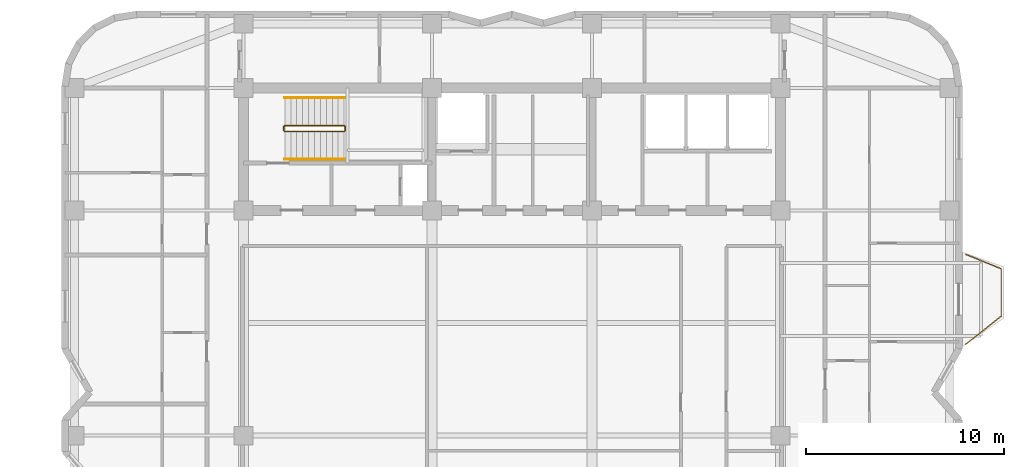
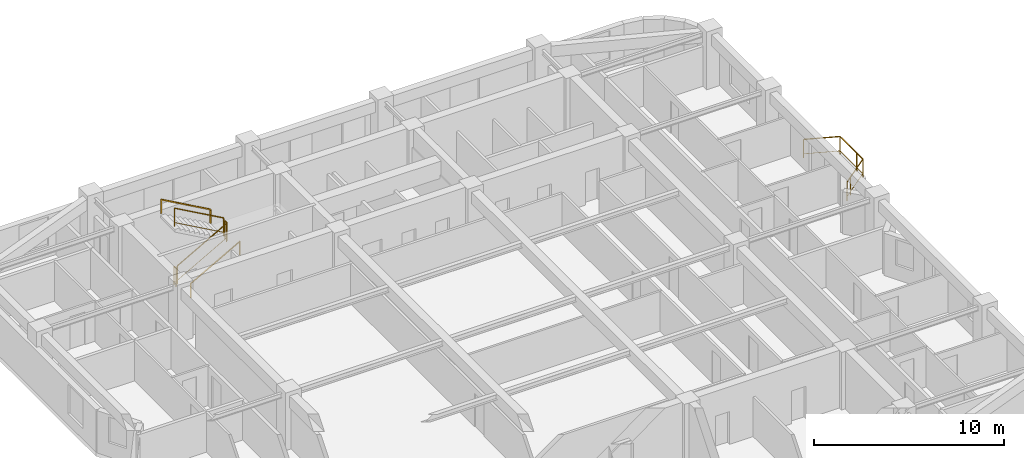
# One storey, part 9 of 9: 7 railings.
"""IFC4 building model written with IfcOpenShell, lengths in metres."""

from ifc_helpers import new_model, si_unit, direction, frame, origin, origin_2d, place, context, subcontext, project, spatial, rectangle, extrude, material, type_object, element, save


model = new_model("IFC4")

# Units and contexts
model_context = context("Model", 3, precision=1e-05, world=origin(), true_north=direction((0.0, 1.0)))
body_context = subcontext(model_context, "Body", "Model", "MODEL_VIEW")
ifc_project = project(units=[si_unit("LENGTHUNIT", "METRE"), si_unit("AREAUNIT", "SQUARE_METRE"), si_unit("VOLUMEUNIT", "CUBIC_METRE"), si_unit("PLANEANGLEUNIT", "RADIAN"), si_unit("MASSUNIT", "GRAM", prefix="KILO")], contexts=[model_context])

# Site, building, storey
site_placement = place(None, origin())
site = spatial("IfcSite", under=ifc_project, at=site_placement, CompositionType="ELEMENT")
building_placement = place(site_placement, origin())
building = spatial("IfcBuilding", under=site, at=building_placement, Name="Svetorya Sky Lyceum", CompositionType="ELEMENT")
storey_placement = place(building_placement, frame((0.0, 0.0, 170.0)))
storey = spatial("IfcBuildingStorey", under=building, at=storey_placement, Name="L42", CompositionType="ELEMENT", Elevation=170.0)

# Railings
ifc_material_1 = material(Name="Laminated safety glass and stainless AISI 316", Category="glass")
railing_type_1 = type_object("IfcRailingType", Name="RL-BAL-1200", PredefinedType="BALUSTRADE", material=ifc_material_1)
railing_1_placement = place(storey_placement, frame((62.169921875, 37.3798828125, 0.0)))
element("IfcRailing", 1, at=railing_1_placement, inside=storey, type_object=railing_type_1, Name="L42 Balcony Balustrade BAL-E1", PredefinedType="BALUSTRADE", context=body_context, shape_type="SweptSolid", body=[
    extrude(rectangle(XDim=0.048095703125, YDim=0.048095703125, at=origin_2d()), frame((0.0, 0.0, 1.17578125), z_axis=(0.926697865975, -0.375807218129, 0.0), x_axis=(0.375807218129, 0.926697865975, 0.0)), (0.0, 0.0, 1.0), 1.9423828125),
    extrude(rectangle(XDim=0.02392578125, YDim=0.02392578125, at=origin_2d()), frame((0.0, 0.0, 0.25), z_axis=(0.926697865975, -0.375807218129, 0.0), x_axis=(0.375807218129, 0.926697865975, 0.0)), (0.0, 0.0, 1.0), 1.9423828125),
    extrude(rectangle(XDim=0.048095703125, YDim=0.048095703125, at=origin_2d()), frame((1.800048828125, -0.72998046875, 1.17578125), z_axis=(0.0, -1.0, 0.0), x_axis=(1.0, 0.0, 0.0)), (0.0, 0.0, 1.0), 2.39990234375),
    extrude(rectangle(XDim=0.02392578125, YDim=0.02392578125, at=origin_2d()), frame((1.800048828125, -0.72998046875, 0.25), z_axis=(0.0, -1.0, 0.0), x_axis=(1.0, 0.0, 0.0)), (0.0, 0.0, 1.0), 2.39990234375),
    extrude(rectangle(XDim=0.048095703125, YDim=0.048095703125, at=origin_2d()), frame((1.800048828125, -3.1298828125, 1.17578125), z_axis=(-0.783008919264, -0.622010476079, 0.0), x_axis=(0.622010476079, -0.783008919264, 0.0)), (0.0, 0.0, 1.0), 2.298828125),
    extrude(rectangle(XDim=0.02392578125, YDim=0.02392578125, at=origin_2d()), frame((1.800048828125, -3.1298828125, 0.25), z_axis=(-0.783008919264, -0.622010476079, 0.0), x_axis=(0.622010476079, -0.783008919264, 0.0)), (0.0, 0.0, 1.0), 2.298828125),
    extrude(rectangle(XDim=0.0419921875, YDim=0.0419921875, at=origin_2d()), origin(), (0.0, 0.0, 1.0), 1.15185546875),
    extrude(rectangle(XDim=0.0419921875, YDim=0.0419921875, at=origin_2d()), frame((1.800048828125, -0.72998046875, 0.0)), (0.0, 0.0, 1.0), 1.15185546875),
    extrude(rectangle(XDim=0.0419921875, YDim=0.0419921875, at=origin_2d()), frame((1.800048828125, -2.47998046875, 0.0)), (0.0, 0.0, 1.0), 1.15185546875),
    extrude(rectangle(XDim=0.0419921875, YDim=0.0419921875, at=origin_2d()), frame((1.800048828125, -3.1298828125, 0.0)), (0.0, 0.0, 1.0), 1.15185546875),
    extrude(rectangle(XDim=0.0419921875, YDim=0.0419921875, at=origin_2d()), frame((0.4296875, -4.218505859375, 0.0)), (0.0, 0.0, 1.0), 1.15185546875),
    extrude(rectangle(XDim=0.0419921875, YDim=0.0419921875, at=origin_2d()), frame((0.0, -4.559814453125, 0.0)), (0.0, 0.0, 1.0), 1.15185546875),
])
ifc_material_2 = material(Name="Painted galvanized stair well guard")
railing_type_2 = type_object("IfcRailingType", Name="RL-STR-GUARD-1200", PredefinedType="GUARDRAIL", material=ifc_material_2)
railing_2_placement = place(storey_placement, frame((27.699951171875, 43.60009765625, 0.168212890625)))
element("IfcRailing", 2, at=railing_2_placement, inside=storey, type_object=railing_type_2, Name="L42 ST-N stair guard 1", PredefinedType="GUARDRAIL", context=body_context, shape_type="SweptSolid", body=[
    extrude(rectangle(XDim=0.048095703125, YDim=0.048095703125, at=origin_2d()), frame((0.0, 0.0, 1.17578125), z_axis=(0.872272294576, 0.0, 0.489020494575), x_axis=(0.0, 1.0, 0.0)), (0.0, 0.0, 1.0), 3.439208984375),
    extrude(rectangle(XDim=0.02392578125, YDim=0.02392578125, at=origin_2d()), frame((0.0, 0.0, 0.25), z_axis=(0.872272294576, 0.0, 0.489020494575), x_axis=(0.0, 1.0, 0.0)), (0.0, 0.0, 1.0), 3.439208984375),
    extrude(rectangle(XDim=0.0419921875, YDim=0.0419921875, at=origin_2d()), origin(), (0.0, 0.0, 1.0), 1.15185546875),
    extrude(rectangle(XDim=0.0419921875, YDim=0.0419921875, at=origin_2d()), frame((3.0, 0.0, 1.681884765625)), (0.0, 0.0, 1.0), 1.15185546875),
])
railing_3_placement = place(storey_placement, frame((30.75, 43.64990234375, 1.85009765625)))
element("IfcRailing", 3, at=railing_3_placement, inside=storey, type_object=railing_type_2, Name="L42 ST-N stair guard 2", PredefinedType="GUARDRAIL", context=body_context, shape_type="SweptSolid", body=[
    extrude(rectangle(XDim=0.048095703125, YDim=0.048095703125, at=origin_2d()), frame((0.0, 0.0, 1.17578125), z_axis=(0.0, 1.0, 0.0), x_axis=(-1.0, 0.0, 0.0)), (0.0, 0.0, 1.0), 0.2001953125),
    extrude(rectangle(XDim=0.02392578125, YDim=0.02392578125, at=origin_2d()), frame((0.0, 0.0, 0.25), z_axis=(0.0, 1.0, 0.0), x_axis=(-1.0, 0.0, 0.0)), (0.0, 0.0, 1.0), 0.2001953125),
    extrude(rectangle(XDim=0.0419921875, YDim=0.0419921875, at=origin_2d()), origin(), (0.0, 0.0, 1.0), 1.15185546875),
    extrude(rectangle(XDim=0.0419921875, YDim=0.0419921875, at=origin_2d()), frame((0.0, 0.2001953125, 0.0)), (0.0, 0.0, 1.0), 1.15185546875),
])
railing_4_placement = place(storey_placement, frame((30.699951171875, 43.89990234375, 2.01806640625)))
element("IfcRailing", 4, at=railing_4_placement, inside=storey, type_object=railing_type_2, Name="L42 ST-N stair guard 3", PredefinedType="GUARDRAIL", context=body_context, shape_type="SweptSolid", body=[
    extrude(rectangle(XDim=0.048095703125, YDim=0.048095703125, at=origin_2d()), frame((0.0, 0.0, 1.17578125), z_axis=(-0.872272294576, 0.0, 0.489020494575), x_axis=(0.0, -1.0, 0.0)), (0.0, 0.0, 1.0), 3.439208984375),
    extrude(rectangle(XDim=0.02392578125, YDim=0.02392578125, at=origin_2d()), frame((0.0, 0.0, 0.25), z_axis=(-0.872272294576, 0.0, 0.489020494575), x_axis=(0.0, -1.0, 0.0)), (0.0, 0.0, 1.0), 3.439208984375),
    extrude(rectangle(XDim=0.0419921875, YDim=0.0419921875, at=origin_2d()), origin(), (0.0, 0.0, 1.0), 1.15185546875),
    extrude(rectangle(XDim=0.0419921875, YDim=0.0419921875, at=origin_2d()), frame((-3.0, 0.0, 1.681884765625)), (0.0, 0.0, 1.0), 1.15185546875),
])
railing_5_placement = place(storey_placement, frame((27.64990234375, 43.64990234375, 0.0)))
element("IfcRailing", 5, at=railing_5_placement, inside=storey, type_object=railing_type_2, Name="L42 ST-N stair guard 4", PredefinedType="GUARDRAIL", context=body_context, shape_type="SweptSolid", body=[
    extrude(rectangle(XDim=0.048095703125, YDim=0.048095703125, at=origin_2d()), frame((0.0, 0.0, 1.17578125), z_axis=(0.0, 1.0, 0.0), x_axis=(-1.0, 0.0, 0.0)), (0.0, 0.0, 1.0), 0.2001953125),
    extrude(rectangle(XDim=0.02392578125, YDim=0.02392578125, at=origin_2d()), frame((0.0, 0.0, 0.25), z_axis=(0.0, 1.0, 0.0), x_axis=(-1.0, 0.0, 0.0)), (0.0, 0.0, 1.0), 0.2001953125),
    extrude(rectangle(XDim=0.0419921875, YDim=0.0419921875, at=origin_2d()), origin(), (0.0, 0.0, 1.0), 1.15185546875),
    extrude(rectangle(XDim=0.0419921875, YDim=0.0419921875, at=origin_2d()), frame((0.0, 0.2001953125, 0.0)), (0.0, 0.0, 1.0), 1.15185546875),
])
ifc_material_3 = material(Name="Brushed stainless AISI 304 stair handrail")
railing_type_3 = type_object("IfcRailingType", Name="RL-STR-HAND-920", PredefinedType="HANDRAIL", material=ifc_material_3)
railing_6_placement = place(storey_placement, frame((27.699951171875, 42.199951171875, 0.168212890625)))
element("IfcRailing", 6, at=railing_6_placement, inside=storey, type_object=railing_type_3, Name="L42 ST-N stair handrail 1", PredefinedType="HANDRAIL", context=body_context, shape_type="SweptSolid", body=[
    extrude(rectangle(XDim=0.048095703125, YDim=0.048095703125, at=origin_2d()), frame((0.0, 0.0, 0.8759765625), z_axis=(0.872272294576, 0.0, 0.489020494575), x_axis=(0.0, 1.0, 0.0)), (0.0, 0.0, 1.0), 3.439208984375),
    extrude(rectangle(XDim=0.0419921875, YDim=0.0419921875, at=origin_2d()), origin(), (0.0, 0.0, 1.0), 0.851806640625),
    extrude(rectangle(XDim=0.0419921875, YDim=0.0419921875, at=origin_2d()), frame((3.0, 0.0, 1.681884765625)), (0.0, 0.0, 1.0), 0.851806640625),
])
railing_7_placement = place(storey_placement, frame((30.699951171875, 45.300048828125, 2.01806640625)))
element("IfcRailing", 7, at=railing_7_placement, inside=storey, type_object=railing_type_3, Name="L42 ST-N stair handrail 2", PredefinedType="HANDRAIL", context=body_context, shape_type="SweptSolid", body=[
    extrude(rectangle(XDim=0.048095703125, YDim=0.048095703125, at=origin_2d()), frame((0.0, 0.0, 0.8759765625), z_axis=(-0.872272294576, 0.0, 0.489020494575), x_axis=(0.0, -1.0, 0.0)), (0.0, 0.0, 1.0), 3.439208984375),
    extrude(rectangle(XDim=0.0419921875, YDim=0.0419921875, at=origin_2d()), origin(), (0.0, 0.0, 1.0), 0.851806640625),
    extrude(rectangle(XDim=0.0419921875, YDim=0.0419921875, at=origin_2d()), frame((-3.0, 0.0, 1.681884765625)), (0.0, 0.0, 1.0), 0.851806640625),
])

save(model, "model.ifc")
